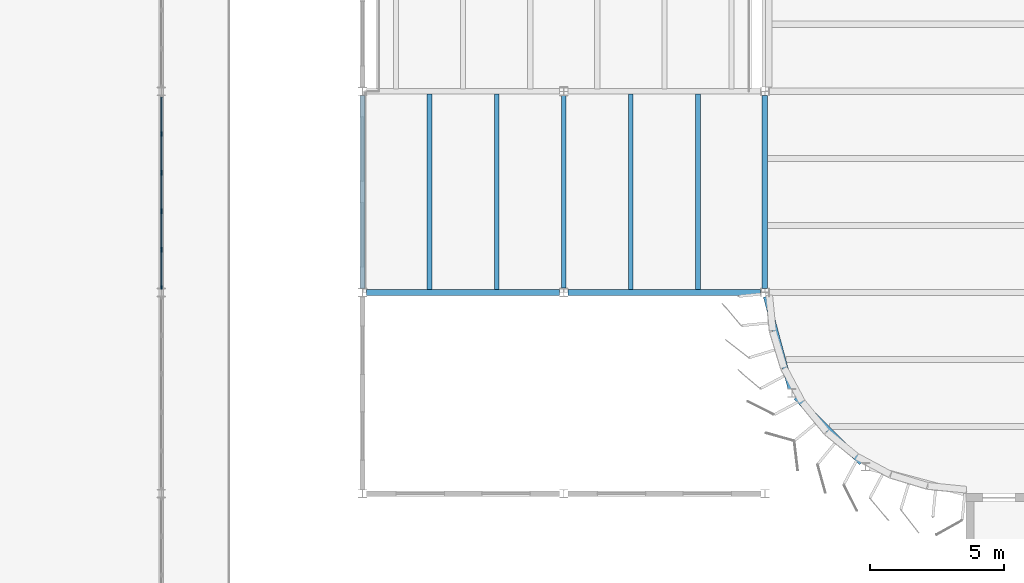
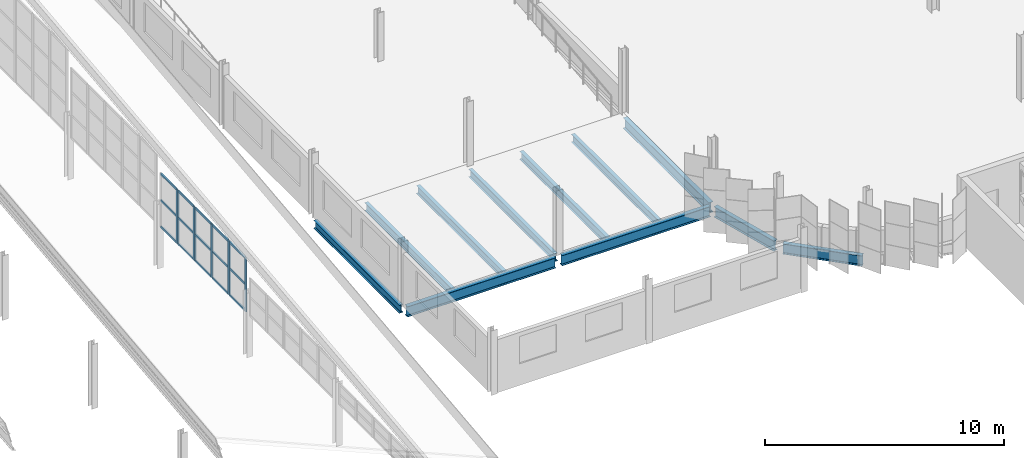
# One storey, part 39 of 199: 24 members, 11 beams, 5 elements without a shape of their own.
"""IFC4 building model written with IfcOpenShell, lengths in metres."""

from ifc_helpers import new_model, si_unit, direction, frame, origin, origin_2d, place, context, subcontext, project, spatial, rectangle, i_section, extrude, material, material_profile, profile_set, type_object, element, aggregate, save


model = new_model("IFC4")

# Units and contexts
model_context = context("Model", 3, precision=1e-05, world=origin(), true_north=direction((0.0, 1.0)))
body_context = subcontext(model_context, "Body", "Model", "MODEL_VIEW")
ifc_project = project(units=[si_unit("LENGTHUNIT", "METRE"), si_unit("AREAUNIT", "SQUARE_METRE"), si_unit("VOLUMEUNIT", "CUBIC_METRE"), si_unit("PLANEANGLEUNIT", "RADIAN"), si_unit("MASSUNIT", "GRAM", prefix="KILO")], contexts=[model_context])

# Site, building, storey
site_placement = place(None, origin())
site = spatial("IfcSite", under=ifc_project, at=site_placement, CompositionType="ELEMENT")
building_placement = place(site_placement, origin())
building = spatial("IfcBuilding", under=site, at=building_placement, Name="Parallax Yard Mobility Hub", CompositionType="ELEMENT")
storey_placement = place(building_placement, frame((0.0, 0.0, 9.89990234375)))
storey = spatial("IfcBuildingStorey", under=building, at=storey_placement, Name="L03", CompositionType="ELEMENT", Elevation=9.89990234375)

# Curtain wall, members
ifc_material_1 = material(Name="Thermally broken aluminium curtain wall system", Category="aluminium")
curtain_wall_type = type_object("IfcCurtainWallType", Name="Clerestory glazing run 60 x 120 frame", PredefinedType="NOTDEFINED", material=ifc_material_1)
curtain_wall_1_placement = place(storey_placement, origin())
curtain_wall_1 = element("IfcCurtainWall", 1, at=curtain_wall_1_placement, inside=storey, type_object=curtain_wall_type, Name="Clerestory glazing run Bicycle and shared-mobility hall east bay 4 level L02", PredefinedType="NOTDEFINED")
ifc_material_2 = material(Name="Extruded aluminium", Category="aluminium")
ifc_material_profile_1 = material_profile(ifc_material_2, rectangle(XDim=0.06005859375, YDim=0.1201171875, at=origin_2d()), Name="Mullion 60 x 120")
ifc_profile_set_1 = profile_set([ifc_material_profile_1], Name="Extruded aluminium")
member_type_1 = type_object("IfcMemberType", Name="Mullion 60 x 120", PredefinedType="MULLION", material=ifc_profile_set_1)
member_1_placement = place(storey_placement, frame((172.5, 30.18359375, 2.140625), z_axis=(0.0, 0.0, 1.0), x_axis=(-1.0, 0.0, 0.0)))
member_1 = element("IfcMember", 2, at=member_1_placement, type_object=member_type_1, Name="CW4 mullion 1", PredefinedType="MULLION", context=body_context, shape_type="SweptSolid", body=[
    extrude(rectangle(XDim=0.06005859375, YDim=0.1201171875, at=origin_2d()), origin(), (0.0, 0.0, 1.0), 2.752197265625),
])
member_2_placement = place(storey_placement, frame((172.5, 31.56201171875, 2.140625), z_axis=(0.0, 0.0, 1.0), x_axis=(-1.0, 0.0, 0.0)))
member_2 = element("IfcMember", 3, at=member_2_placement, type_object=member_type_1, Name="CW4 mullion 2", PredefinedType="MULLION", context=body_context, shape_type="SweptSolid", body=[
    extrude(rectangle(XDim=0.06005859375, YDim=0.1201171875, at=origin_2d()), origin(), (0.0, 0.0, 1.0), 2.752197265625),
])

curtain_wall_2_placement = place(storey_placement, origin())
curtain_wall_2 = element("IfcCurtainWall", 4, at=curtain_wall_2_placement, inside=storey, type_object=curtain_wall_type, Name="Clerestory glazing run Bicycle and shared-mobility hall east bay 4 level L02", PredefinedType="NOTDEFINED")
member_3_placement = place(storey_placement, frame((172.5, 31.6220703125, 2.140625), z_axis=(0.0, 0.0, 1.0), x_axis=(-1.0, 0.0, 0.0)))
member_3 = element("IfcMember", 5, at=member_3_placement, type_object=member_type_1, Name="CW4 mullion 1", PredefinedType="MULLION", context=body_context, shape_type="SweptSolid", body=[
    extrude(rectangle(XDim=0.06005859375, YDim=0.1201171875, at=origin_2d()), origin(), (0.0, 0.0, 1.0), 2.752197265625),
])
member_4_placement = place(storey_placement, frame((172.5, 33.000732421875, 2.140625), z_axis=(0.0, 0.0, 1.0), x_axis=(-1.0, 0.0, 0.0)))
member_4 = element("IfcMember", 6, at=member_4_placement, type_object=member_type_1, Name="CW4 mullion 2", PredefinedType="MULLION", context=body_context, shape_type="SweptSolid", body=[
    extrude(rectangle(XDim=0.06005859375, YDim=0.1201171875, at=origin_2d()), origin(), (0.0, 0.0, 1.0), 2.752197265625),
])

curtain_wall_3_placement = place(storey_placement, origin())
curtain_wall_3 = element("IfcCurtainWall", 7, at=curtain_wall_3_placement, inside=storey, type_object=curtain_wall_type, Name="Clerestory glazing run Bicycle and shared-mobility hall east bay 4 level L02", PredefinedType="NOTDEFINED")
member_5_placement = place(storey_placement, frame((172.5, 33.060791015625, 2.140625), z_axis=(0.0, 0.0, 1.0), x_axis=(-1.0, 0.0, 0.0)))
member_5 = element("IfcMember", 8, at=member_5_placement, type_object=member_type_1, Name="CW4 mullion 1", PredefinedType="MULLION", context=body_context, shape_type="SweptSolid", body=[
    extrude(rectangle(XDim=0.06005859375, YDim=0.1201171875, at=origin_2d()), origin(), (0.0, 0.0, 1.0), 2.752197265625),
])
member_6_placement = place(storey_placement, frame((172.5, 34.439208984375, 2.140625), z_axis=(0.0, 0.0, 1.0), x_axis=(-1.0, 0.0, 0.0)))
member_6 = element("IfcMember", 9, at=member_6_placement, type_object=member_type_1, Name="CW4 mullion 2", PredefinedType="MULLION", context=body_context, shape_type="SweptSolid", body=[
    extrude(rectangle(XDim=0.06005859375, YDim=0.1201171875, at=origin_2d()), origin(), (0.0, 0.0, 1.0), 2.752197265625),
])

curtain_wall_4_placement = place(storey_placement, origin())
curtain_wall_4 = element("IfcCurtainWall", 10, at=curtain_wall_4_placement, inside=storey, type_object=curtain_wall_type, Name="Clerestory glazing run Bicycle and shared-mobility hall east bay 4 level L02", PredefinedType="NOTDEFINED")
member_7_placement = place(storey_placement, frame((172.5, 34.499267578125, 2.140625), z_axis=(0.0, 0.0, 1.0), x_axis=(-1.0, 0.0, 0.0)))
member_7 = element("IfcMember", 11, at=member_7_placement, type_object=member_type_1, Name="CW4 mullion 1", PredefinedType="MULLION", context=body_context, shape_type="SweptSolid", body=[
    extrude(rectangle(XDim=0.06005859375, YDim=0.1201171875, at=origin_2d()), origin(), (0.0, 0.0, 1.0), 2.752197265625),
])
member_8_placement = place(storey_placement, frame((172.5, 35.8779296875, 2.140625), z_axis=(0.0, 0.0, 1.0), x_axis=(-1.0, 0.0, 0.0)))
member_8 = element("IfcMember", 12, at=member_8_placement, type_object=member_type_1, Name="CW4 mullion 2", PredefinedType="MULLION", context=body_context, shape_type="SweptSolid", body=[
    extrude(rectangle(XDim=0.06005859375, YDim=0.1201171875, at=origin_2d()), origin(), (0.0, 0.0, 1.0), 2.752197265625),
])

# Curtain wall, member
curtain_wall_5_placement = place(storey_placement, origin())
curtain_wall_5 = element("IfcCurtainWall", 13, at=curtain_wall_5_placement, inside=storey, type_object=curtain_wall_type, Name="Clerestory glazing run Bicycle and shared-mobility hall east bay 4 level L02", PredefinedType="NOTDEFINED")
member_9_placement = place(storey_placement, frame((172.5, 35.93798828125, 2.140625), z_axis=(0.0, 0.0, 1.0), x_axis=(-1.0, 0.0, 0.0)))
member_9 = element("IfcMember", 14, at=member_9_placement, type_object=member_type_1, Name="CW4 mullion 1", PredefinedType="MULLION", context=body_context, shape_type="SweptSolid", body=[
    extrude(rectangle(XDim=0.06005859375, YDim=0.1201171875, at=origin_2d()), origin(), (0.0, 0.0, 1.0), 2.752197265625),
])

# Member
ifc_material_profile_2 = material_profile(ifc_material_2, rectangle(XDim=0.06005859375, YDim=0.10009765625, at=origin_2d()), Name="Transom 60 x 100")
ifc_profile_set_2 = profile_set([ifc_material_profile_2], Name="Extruded aluminium")
member_type_2 = type_object("IfcMemberType", Name="Transom 60 x 100", PredefinedType="USERDEFINED", material=ifc_profile_set_2)
member_10_placement = place(storey_placement, frame((172.5, 30.21337890625, 2.170654296875), z_axis=(0.0, 1.0, 0.0), x_axis=(-1.0, 0.0, 0.0)))
member_10 = element("IfcMember", 15, at=member_10_placement, type_object=member_type_2, Name="CW4 transom 1.1", ObjectType="TRANSOM", PredefinedType="USERDEFINED", context=body_context, shape_type="SweptSolid", body=[
    extrude(rectangle(XDim=0.06005859375, YDim=0.10009765625, at=origin_2d()), origin(), (0.0, 0.0, 1.0), 1.318603515625),
])

member_11_placement = place(storey_placement, frame((172.5, 30.21337890625, 3.5166015625), z_axis=(0.0, 1.0, 0.0), x_axis=(-1.0, 0.0, 0.0)))
member_11 = element("IfcMember", 16, at=member_11_placement, type_object=member_type_2, Name="CW4 transom 1.2", ObjectType="TRANSOM", PredefinedType="USERDEFINED", context=body_context, shape_type="SweptSolid", body=[
    extrude(rectangle(XDim=0.06005859375, YDim=0.10009765625, at=origin_2d()), origin(), (0.0, 0.0, 1.0), 1.318603515625),
])

member_12_placement = place(storey_placement, frame((172.5, 30.21337890625, 4.86279296875), z_axis=(0.0, 1.0, 0.0), x_axis=(-1.0, 0.0, 0.0)))
member_12 = element("IfcMember", 17, at=member_12_placement, type_object=member_type_2, Name="CW4 transom 1.3", ObjectType="TRANSOM", PredefinedType="USERDEFINED", context=body_context, shape_type="SweptSolid", body=[
    extrude(rectangle(XDim=0.06005859375, YDim=0.10009765625, at=origin_2d()), origin(), (0.0, 0.0, 1.0), 1.318603515625),
])

aggregate(curtain_wall_1, [member_1, member_2, member_10, member_11, member_12])

member_13_placement = place(storey_placement, frame((172.5, 31.652099609375, 2.170654296875), z_axis=(0.0, 1.0, 0.0), x_axis=(-1.0, 0.0, 0.0)))
member_13 = element("IfcMember", 18, at=member_13_placement, type_object=member_type_2, Name="CW4 transom 1.1", ObjectType="TRANSOM", PredefinedType="USERDEFINED", context=body_context, shape_type="SweptSolid", body=[
    extrude(rectangle(XDim=0.06005859375, YDim=0.10009765625, at=origin_2d()), origin(), (0.0, 0.0, 1.0), 1.318603515625),
])

member_14_placement = place(storey_placement, frame((172.5, 31.652099609375, 3.5166015625), z_axis=(0.0, 1.0, 0.0), x_axis=(-1.0, 0.0, 0.0)))
member_14 = element("IfcMember", 19, at=member_14_placement, type_object=member_type_2, Name="CW4 transom 1.2", ObjectType="TRANSOM", PredefinedType="USERDEFINED", context=body_context, shape_type="SweptSolid", body=[
    extrude(rectangle(XDim=0.06005859375, YDim=0.10009765625, at=origin_2d()), origin(), (0.0, 0.0, 1.0), 1.318603515625),
])

member_15_placement = place(storey_placement, frame((172.5, 31.652099609375, 4.86279296875), z_axis=(0.0, 1.0, 0.0), x_axis=(-1.0, 0.0, 0.0)))
member_15 = element("IfcMember", 20, at=member_15_placement, type_object=member_type_2, Name="CW4 transom 1.3", ObjectType="TRANSOM", PredefinedType="USERDEFINED", context=body_context, shape_type="SweptSolid", body=[
    extrude(rectangle(XDim=0.06005859375, YDim=0.10009765625, at=origin_2d()), origin(), (0.0, 0.0, 1.0), 1.318603515625),
])

aggregate(curtain_wall_2, [member_3, member_4, member_13, member_14, member_15])

member_16_placement = place(storey_placement, frame((172.5, 33.0908203125, 2.170654296875), z_axis=(0.0, 1.0, 0.0), x_axis=(-1.0, 0.0, 0.0)))
member_16 = element("IfcMember", 21, at=member_16_placement, type_object=member_type_2, Name="CW4 transom 1.1", ObjectType="TRANSOM", PredefinedType="USERDEFINED", context=body_context, shape_type="SweptSolid", body=[
    extrude(rectangle(XDim=0.06005859375, YDim=0.10009765625, at=origin_2d()), origin(), (0.0, 0.0, 1.0), 1.318359375),
])

member_17_placement = place(storey_placement, frame((172.5, 33.0908203125, 3.5166015625), z_axis=(0.0, 1.0, 0.0), x_axis=(-1.0, 0.0, 0.0)))
member_17 = element("IfcMember", 22, at=member_17_placement, type_object=member_type_2, Name="CW4 transom 1.2", ObjectType="TRANSOM", PredefinedType="USERDEFINED", context=body_context, shape_type="SweptSolid", body=[
    extrude(rectangle(XDim=0.06005859375, YDim=0.10009765625, at=origin_2d()), origin(), (0.0, 0.0, 1.0), 1.318359375),
])

member_18_placement = place(storey_placement, frame((172.5, 33.0908203125, 4.86279296875), z_axis=(0.0, 1.0, 0.0), x_axis=(-1.0, 0.0, 0.0)))
member_18 = element("IfcMember", 23, at=member_18_placement, type_object=member_type_2, Name="CW4 transom 1.3", ObjectType="TRANSOM", PredefinedType="USERDEFINED", context=body_context, shape_type="SweptSolid", body=[
    extrude(rectangle(XDim=0.06005859375, YDim=0.10009765625, at=origin_2d()), origin(), (0.0, 0.0, 1.0), 1.318359375),
])

aggregate(curtain_wall_3, [member_5, member_6, member_16, member_17, member_18])

member_19_placement = place(storey_placement, frame((172.5, 34.529296875, 2.170654296875), z_axis=(0.0, 1.0, 0.0), x_axis=(-1.0, 0.0, 0.0)))
member_19 = element("IfcMember", 24, at=member_19_placement, type_object=member_type_2, Name="CW4 transom 1.1", ObjectType="TRANSOM", PredefinedType="USERDEFINED", context=body_context, shape_type="SweptSolid", body=[
    extrude(rectangle(XDim=0.06005859375, YDim=0.10009765625, at=origin_2d()), origin(), (0.0, 0.0, 1.0), 1.318603515625),
])

member_20_placement = place(storey_placement, frame((172.5, 34.529296875, 3.5166015625), z_axis=(0.0, 1.0, 0.0), x_axis=(-1.0, 0.0, 0.0)))
member_20 = element("IfcMember", 25, at=member_20_placement, type_object=member_type_2, Name="CW4 transom 1.2", ObjectType="TRANSOM", PredefinedType="USERDEFINED", context=body_context, shape_type="SweptSolid", body=[
    extrude(rectangle(XDim=0.06005859375, YDim=0.10009765625, at=origin_2d()), origin(), (0.0, 0.0, 1.0), 1.318603515625),
])

member_21_placement = place(storey_placement, frame((172.5, 34.529296875, 4.86279296875), z_axis=(0.0, 1.0, 0.0), x_axis=(-1.0, 0.0, 0.0)))
member_21 = element("IfcMember", 26, at=member_21_placement, type_object=member_type_2, Name="CW4 transom 1.3", ObjectType="TRANSOM", PredefinedType="USERDEFINED", context=body_context, shape_type="SweptSolid", body=[
    extrude(rectangle(XDim=0.06005859375, YDim=0.10009765625, at=origin_2d()), origin(), (0.0, 0.0, 1.0), 1.318603515625),
])

aggregate(curtain_wall_4, [member_7, member_8, member_19, member_20, member_21])

member_22_placement = place(storey_placement, frame((172.5, 35.968017578125, 2.170654296875), z_axis=(0.0, 1.0, 0.0), x_axis=(-1.0, 0.0, 0.0)))
member_22 = element("IfcMember", 27, at=member_22_placement, type_object=member_type_2, Name="CW4 transom 1.1", ObjectType="TRANSOM", PredefinedType="USERDEFINED", context=body_context, shape_type="SweptSolid", body=[
    extrude(rectangle(XDim=0.06005859375, YDim=0.10009765625, at=origin_2d()), origin(), (0.0, 0.0, 1.0), 1.318603515625),
])

member_23_placement = place(storey_placement, frame((172.5, 35.968017578125, 3.5166015625), z_axis=(0.0, 1.0, 0.0), x_axis=(-1.0, 0.0, 0.0)))
member_23 = element("IfcMember", 28, at=member_23_placement, type_object=member_type_2, Name="CW4 transom 1.2", ObjectType="TRANSOM", PredefinedType="USERDEFINED", context=body_context, shape_type="SweptSolid", body=[
    extrude(rectangle(XDim=0.06005859375, YDim=0.10009765625, at=origin_2d()), origin(), (0.0, 0.0, 1.0), 1.318603515625),
])

member_24_placement = place(storey_placement, frame((172.5, 35.968017578125, 4.86279296875), z_axis=(0.0, 1.0, 0.0), x_axis=(-1.0, 0.0, 0.0)))
member_24 = element("IfcMember", 29, at=member_24_placement, type_object=member_type_2, Name="CW4 transom 1.3", ObjectType="TRANSOM", PredefinedType="USERDEFINED", context=body_context, shape_type="SweptSolid", body=[
    extrude(rectangle(XDim=0.06005859375, YDim=0.10009765625, at=origin_2d()), origin(), (0.0, 0.0, 1.0), 1.318603515625),
])

aggregate(curtain_wall_5, [member_9, member_22, member_23, member_24])

# Beams
ifc_material_3 = material(Name="Steel ASTM A992", Category="steel")
ifc_material_profile_3 = material_profile(ifc_material_3, i_section(OverallWidth=0.177978515625, OverallDepth=0.406005859375, WebThickness=0.0078125, FlangeThickness=0.0126953125, FilletRadius=0.01025390625, at=origin_2d()), Name="W410x60")
ifc_profile_set_3 = profile_set([ifc_material_profile_3], Name="Steel ASTM A992")
beam_type_1 = type_object("IfcBeamType", Name="W410x60 edge beam", PredefinedType="SPANDREL", material=ifc_profile_set_3)
beam_1_placement = place(storey_placement, frame((180.0, 30.153564453125, -0.343017578125), z_axis=(0.0, 1.0, 0.0), x_axis=(-1.0, 0.0, 0.0)))
element("IfcBeam", 30, at=beam_1_placement, inside=storey, type_object=beam_type_1, Name="Edge beam SB1 level L03, line 25 of ramp house, span 1", PredefinedType="SPANDREL", context=body_context, shape_type="SweptSolid", body=[
    extrude(i_section(OverallWidth=0.177978515625, OverallDepth=0.406005859375, WebThickness=0.0078125, FlangeThickness=0.0126953125, FilletRadius=0.01025390625, at=origin_2d()), origin(), (0.0, 0.0, 1.0), 7.19287109375),
])
ifc_material_profile_4 = material_profile(ifc_material_3, i_section(OverallWidth=0.177978515625, OverallDepth=0.406005859375, WebThickness=0.0078125, FlangeThickness=0.0126953125, FilletRadius=0.01025390625, at=origin_2d()), Name="W410x60")
ifc_profile_set_4 = profile_set([ifc_material_profile_4], Name="Steel ASTM A992")
beam_type_2 = type_object("IfcBeamType", Name="W410x60 longitudinal beam", PredefinedType="BEAM", material=ifc_profile_set_4)
beam_2_placement = place(storey_placement, frame((187.5, 30.1640625, -0.343017578125), z_axis=(0.0, 1.0, 0.0), x_axis=(-1.0, 0.0, 0.0)))
element("IfcBeam", 31, at=beam_2_placement, inside=storey, type_object=beam_type_2, Name="Longitudinal beam SB2 level L03, line 26 of ramp house, span 1", PredefinedType="BEAM", context=body_context, shape_type="SweptSolid", body=[
    extrude(i_section(OverallWidth=0.177978515625, OverallDepth=0.406005859375, WebThickness=0.0078125, FlangeThickness=0.0126953125, FilletRadius=0.01025390625, at=origin_2d()), origin(), (0.0, 0.0, 1.0), 7.171875),
])
ifc_material_profile_5 = material_profile(ifc_material_3, i_section(OverallWidth=0.177978515625, OverallDepth=0.406005859375, WebThickness=0.0078125, FlangeThickness=0.0126953125, FilletRadius=0.01025390625, at=origin_2d()), Name="W410x60")
ifc_profile_set_5 = profile_set([ifc_material_profile_5], Name="Steel ASTM A992")
beam_type_3 = type_object("IfcBeamType", Name="W410x60 secondary beam", PredefinedType="JOIST", material=ifc_profile_set_5)
for number, where, z_axis, x_axis, name in (
    (32, (182.5, 30.1044921875, -0.343017578125), (0.0, 1.0, 0.0), (-1.0, 0.0, 0.0), "Secondary beam B1 level L03, 2.5 m east of line 25 of ramp house, span 1"),
    (33, (190.0, 30.1044921875, -0.343017578125), (0.0, 1.0, 0.0), (-1.0, 0.0, 0.0), "Secondary beam B1 level L03, 2.5 m east of line 26 of ramp house, span 1"),
    (34, (185.0, 30.1044921875, -0.343017578125), (0.0, 1.0, 0.0), (-1.0, 0.0, 0.0), "Secondary beam B1 level L03, 5 m east of line 25 of ramp house, span 1"),
    (35, (192.5, 30.1044921875, -0.343017578125), (0.0, 1.0, 0.0), (-1.0, 0.0, 0.0), "Secondary beam B1 level L03, 5 m east of line 26 of ramp house, span 1"),
):
    element("IfcBeam", number, at=place(storey_placement, frame(where, z_axis=z_axis, x_axis=x_axis)), inside=storey, type_object=beam_type_3, Name=name, PredefinedType="JOIST", context=body_context, shape_type="SweptSolid", body=[
        extrude(i_section(OverallWidth=0.177978515625, OverallDepth=0.406005859375, WebThickness=0.0078125, FlangeThickness=0.0126953125, FilletRadius=0.01025390625, at=origin_2d()), origin(), (0.0, 0.0, 1.0), 7.291015625),
    ])
ifc_material_profile_6 = material_profile(ifc_material_3, i_section(OverallWidth=0.208984375, OverallDepth=0.532958984375, WebThickness=0.01025390625, FlangeThickness=0.015625, FilletRadius=0.0126953125, at=origin_2d()), Name="W530x92")
ifc_profile_set_6 = profile_set([ifc_material_profile_6], Name="Steel ASTM A992")
beam_type_4 = type_object("IfcBeamType", Name="W530x92 edge beam", PredefinedType="SPANDREL", material=ifc_profile_set_6)
beam_3_placement = place(storey_placement, frame((195.0, 30.153564453125, -0.406494140625), z_axis=(0.0, 1.0, 0.0), x_axis=(-1.0, 0.0, 0.0)))
element("IfcBeam", 36, at=beam_3_placement, inside=storey, type_object=beam_type_4, Name="Edge beam SB5 level L03, line 27 of ramped parking decks, span 1", PredefinedType="SPANDREL", context=body_context, shape_type="SweptSolid", body=[
    extrude(i_section(OverallWidth=0.208984375, OverallDepth=0.532958984375, WebThickness=0.01025390625, FlangeThickness=0.015625, FilletRadius=0.0126953125, at=origin_2d()), origin(), (0.0, 0.0, 1.0), 7.19384765625),
])
beam_4_placement = place(storey_placement, frame((195.041015625, 29.846435546875, -0.406494140625), z_axis=(0.258843360847, -0.965919310577, 0.0), x_axis=(0.965919310577, 0.258843360847, 0.0)))
element("IfcBeam", 37, at=beam_4_placement, inside=storey, type_object=beam_type_4, Name="Edge beam SB5 level L03, the south end of ramped parking decks, span 1", PredefinedType="SPANDREL", context=body_context, shape_type="SweptSolid", body=[
    extrude(i_section(OverallWidth=0.208984375, OverallDepth=0.532958984375, WebThickness=0.01025390625, FlangeThickness=0.015625, FilletRadius=0.0126953125, at=origin_2d()), origin(), (0.0, 0.0, 1.0), 3.564453125),
])
beam_5_placement = place(storey_placement, frame((196.1572265625, 26.097412109375, -0.406494140625), z_axis=(0.707106781187, -0.707106781187, 0.0), x_axis=(0.707106781187, 0.707106781187, 0.0)))
element("IfcBeam", 38, at=beam_5_placement, inside=storey, type_object=beam_type_4, Name="Edge beam SB5 level L03, the south end of ramped parking decks, span 2", PredefinedType="SPANDREL", context=body_context, shape_type="SweptSolid", body=[
    extrude(i_section(OverallWidth=0.208984375, OverallDepth=0.532958984375, WebThickness=0.01025390625, FlangeThickness=0.015625, FilletRadius=0.0126953125, at=origin_2d()), origin(), (0.0, 0.0, 1.0), 3.450927734375),
])
ifc_material_profile_7 = material_profile(ifc_material_3, i_section(OverallWidth=0.208984375, OverallDepth=0.532958984375, WebThickness=0.01025390625, FlangeThickness=0.015625, FilletRadius=0.0126953125, at=origin_2d()), Name="W530x92")
ifc_profile_set_7 = profile_set([ifc_material_profile_7], Name="Steel ASTM A992")
beam_type_5 = type_object("IfcBeamType", Name="W530x92 girder", PredefinedType="BEAM", material=ifc_profile_set_7)
beam_6_placement = place(storey_placement, frame((180.152587890625, 30.0, -0.406494140625), z_axis=(1.0, 0.0, 0.0), x_axis=(0.0, 1.0, 0.0)))
element("IfcBeam", 39, at=beam_6_placement, inside=storey, type_object=beam_type_5, Name="Girder G2 level L03, line E of ramp house, span 1", PredefinedType="BEAM", context=body_context, shape_type="SweptSolid", body=[
    extrude(i_section(OverallWidth=0.208984375, OverallDepth=0.532958984375, WebThickness=0.01025390625, FlangeThickness=0.015625, FilletRadius=0.0126953125, at=origin_2d()), origin(), (0.0, 0.0, 1.0), 7.1923828125),
])
beam_7_placement = place(storey_placement, frame((187.655029296875, 30.0, -0.406494140625), z_axis=(1.0, 0.0, 0.0), x_axis=(0.0, 1.0, 0.0)))
element("IfcBeam", 40, at=beam_7_placement, inside=storey, type_object=beam_type_5, Name="Girder G2 level L03, line E of ramp house, span 2", PredefinedType="BEAM", context=body_context, shape_type="SweptSolid", body=[
    extrude(i_section(OverallWidth=0.208984375, OverallDepth=0.532958984375, WebThickness=0.01025390625, FlangeThickness=0.015625, FilletRadius=0.0126953125, at=origin_2d()), origin(), (0.0, 0.0, 1.0), 7.18603515625),
])

save(model, "model.ifc")
